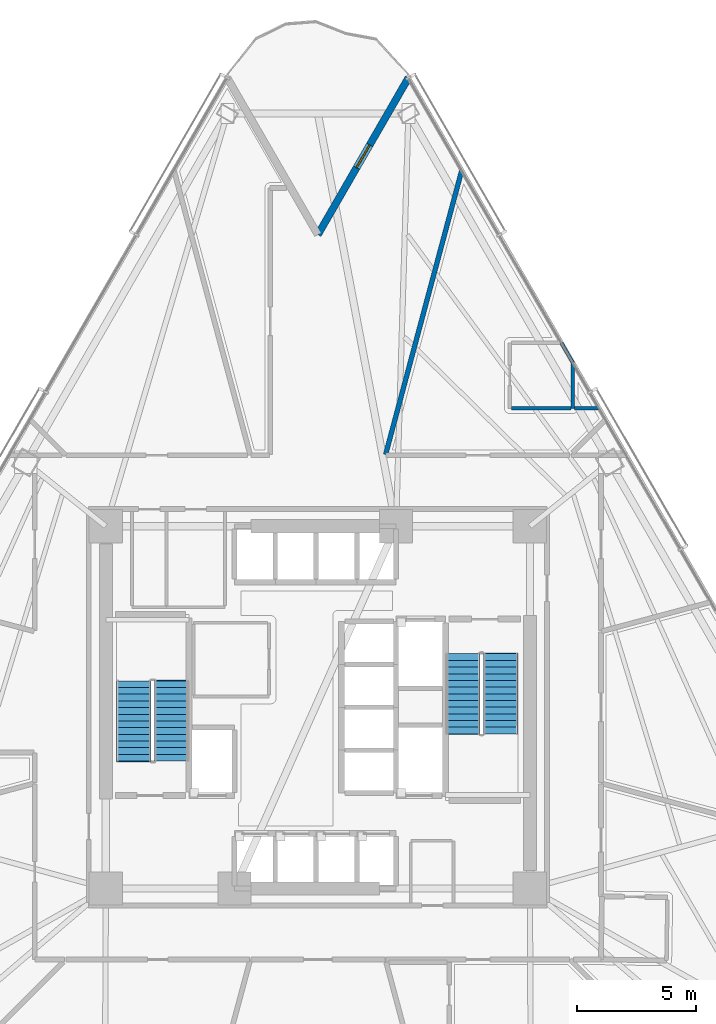
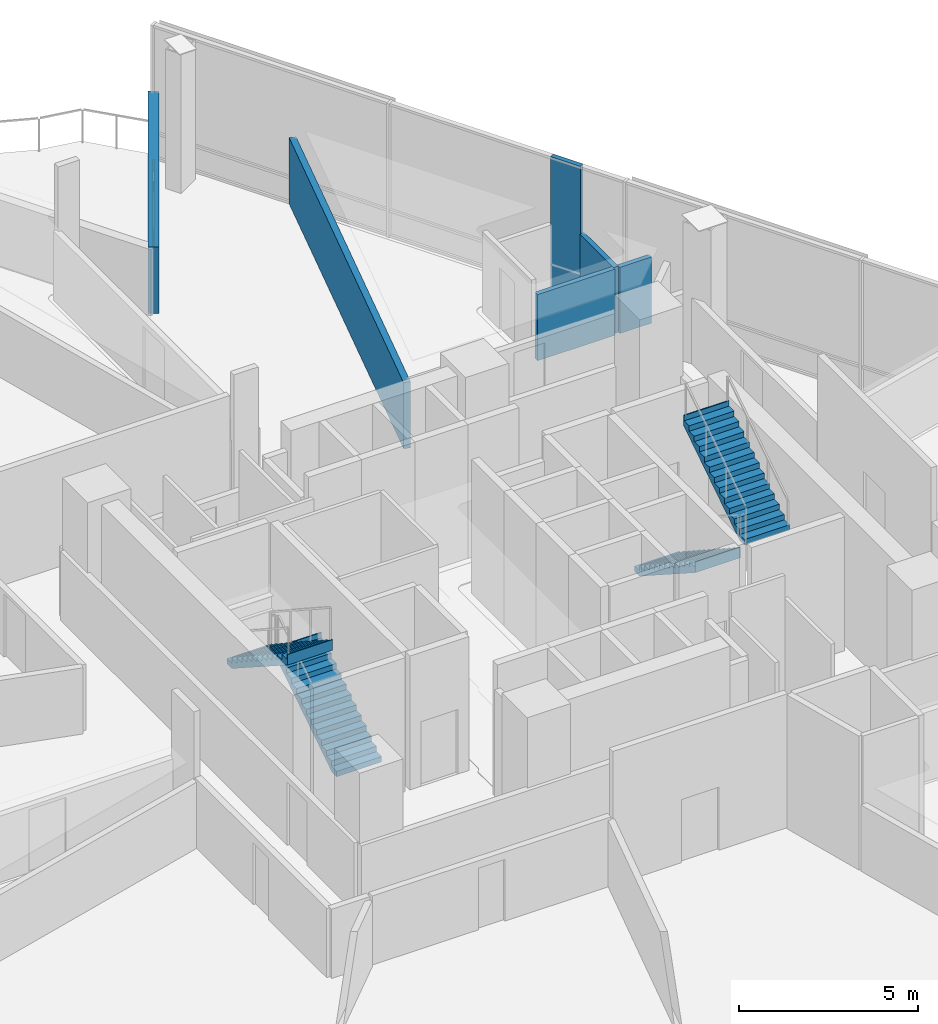
# One storey, part 10 of 17: 6 walls, 4 stair flights, 1 door, 1 opening, 2 elements without a shape of their own.
"""IFC4 building model written with IfcOpenShell, lengths in metres."""

from ifc_helpers import new_model, si_unit, direction, frame, frame_2d, origin, place, context, subcontext, project, spatial, polyline, rectangle, outline, extrude, material, layer, layer_set, type_object, element, fill, aggregate, save


model = new_model("IFC4")

# Units and contexts
model_context = context("Model", 3, precision=1e-05, world=origin(), true_north=direction((0.0, 1.0)))
body_context = subcontext(model_context, "Body", "Model", "MODEL_VIEW")
ifc_project = project(units=[si_unit("LENGTHUNIT", "METRE"), si_unit("AREAUNIT", "SQUARE_METRE"), si_unit("VOLUMEUNIT", "CUBIC_METRE"), si_unit("PLANEANGLEUNIT", "RADIAN"), si_unit("MASSUNIT", "GRAM", prefix="KILO")], contexts=[model_context])

# Site, building, storey
site_placement = place(None, origin())
site = spatial("IfcSite", under=ifc_project, at=site_placement, CompositionType="ELEMENT")
building_placement = place(site_placement, origin())
building = spatial("IfcBuilding", under=site, at=building_placement, Name="Tharavind Bronze Gate", CompositionType="ELEMENT")
storey_placement = place(building_placement, frame((0.0, 0.0, 52.25)))
storey = spatial("IfcBuildingStorey", under=building, at=storey_placement, Name="L12", CompositionType="ELEMENT", Elevation=52.25)

# Wall, opening, door
ifc_material_1 = material(Name="Concrete C40/50", Category="concrete")
ifc_layer_1 = layer(ifc_material_1, 0.300048828125)
ifc_layer_set_1 = layer_set([ifc_layer_1], Name="Concrete C40/50")
wall_type_1 = type_object("IfcWallType", Name="EXTERIOR SPANDREL WALL 300", PredefinedType="STANDARD", material=ifc_layer_set_1)
wall_1_placement = place(storey_placement, frame((3.800048828125, 26.418212890625, 0.0), z_axis=(0.0, 0.0, 1.0), x_axis=(-0.500005158081, -0.866022425744, 0.0)))
wall_1 = element("IfcWall", 1, at=wall_1_placement, inside=storey, type_object=wall_type_1, Name="L12 notch cheek wall 1A", PredefinedType="STANDARD", context=body_context, shape_type="SweptSolid", body=[
    extrude(rectangle(XDim=7.60009765625, YDim=0.300048828125, at=frame_2d((3.800048828125, 0.0))), origin(), (0.0, 0.0, 1.0), 2.2548828125),
])
opening_placement = place(wall_1_placement, frame((3.25, 0.0, 0.0)))
opening = element("IfcOpeningElement", 2, at=opening_placement, cuts=wall_1, Name="Opening ED04", PredefinedType="OPENING", context=body_context, shape_type="SweptSolid", body=[
    extrude(rectangle(XDim=1.10009765625, YDim=2.199951171875, at=frame_2d((0.550048828125, 1.10009765625))), frame((0.0, 0.15990234375, 0.0), z_axis=(0.0, -1.0, 0.0), x_axis=(1.0, 0.0, 0.0)), (0.0, 0.0, 1.0), 0.320048828125),
])
ifc_material_2 = material(Name="Bronze Aluminium & Toughened Glass", Category="aluminium")
door_type = type_object("IfcDoorType", Name="TREE BALCONY ACCESS DOOR 1100X2200", OperationType="SINGLE_SWING_LEFT", PredefinedType="DOOR", material=ifc_material_2)
door_placement = place(opening_placement, origin())
door = element("IfcDoor", 3, at=door_placement, inside=storey, type_object=door_type, Name="L12 tree balcony access door", OperationType="SINGLE_SWING_LEFT", OverallHeight=2.199951171875, OverallWidth=1.10009765625, PredefinedType="DOOR", context=body_context, shape_type="SweptSolid", body=[
    extrude(rectangle(XDim=1.10009765625, YDim=2.199951171875, at=frame_2d((0.550048828125, 1.10009765625))), frame((0.0, 0.02490234375, 0.0), z_axis=(0.0, -1.0, 0.0), x_axis=(1.0, 0.0, 0.0)), (0.0, 0.0, 1.0), 0.050048828125),
])
fill(opening, door)

# Walls
ifc_material_3 = material(Name="Aerated Concrete Block", Category="concrete")
ifc_layer_2 = layer(ifc_material_3, 0.199951171875)
ifc_layer_set_2 = layer_set([ifc_layer_2], Name="Aerated Concrete Block")
wall_type_2 = type_object("IfcWallType", Name="FIRE RATED PARTITION 200", PredefinedType="PARTITIONING", material=ifc_layer_set_2)
wall_2_placement = place(storey_placement, frame((2.84326171875, 10.611572265625, 0.0), z_axis=(0.0, 0.0, 1.0), x_axis=(0.258820414837, 0.965925459269, 0.0)))
element("IfcWall", 4, at=wall_2_placement, inside=storey, type_object=wall_type_2, Name="L12 Royal Hotel Suite partition", PredefinedType="PARTITIONING", context=body_context, shape_type="SweptSolid", body=[
    extrude(rectangle(XDim=12.348388671875, YDim=0.199951171875, at=frame_2d((6.17431640625, 0.0))), origin(), (0.0, 0.0, 1.0), 2.2548828125),
])
ifc_material_4 = material(Name="Twin Stud Acoustic Gypsum", Category="gypsum")
ifc_layer_3 = layer(ifc_material_4, 0.14990234375)
ifc_layer_set_3 = layer_set([ifc_layer_3], Name="Twin Stud Acoustic Gypsum")
wall_type_3 = type_object("IfcWallType", Name="INTERIOR PARTITION WALL 150", PredefinedType="PARTITIONING", material=ifc_layer_set_3)
wall_3_placement = place(storey_placement, frame((10.218994140625, 15.300048828125, 0.0), z_axis=(0.0, 0.0, 1.0), x_axis=(0.500015396624, -0.866016514357, 0.0)))
element("IfcWall", 5, at=wall_3_placement, inside=storey, type_object=wall_type_3, Name="L12 En-Suite Bathroom partition", PredefinedType="PARTITIONING", context=body_context, shape_type="SweptSolid", body=[
    extrude(rectangle(XDim=0.9619140625, YDim=0.14990234375, at=frame_2d((0.48095703125, 0.0))), origin(), (0.0, 0.0, 1.0), 4.56005859375),
])
wall_4_placement = place(storey_placement, frame((10.699951171875, 14.467041015625, 0.0), z_axis=(0.0, 0.0, 1.0), x_axis=(0.0, -1.0, 0.0)))
element("IfcWall", 6, at=wall_4_placement, inside=storey, type_object=wall_type_3, Name="L12 En-Suite Bathroom partition", PredefinedType="PARTITIONING", context=body_context, shape_type="SweptSolid", body=[
    extrude(rectangle(XDim=1.9169921875, YDim=0.14990234375, at=frame_2d((0.95849609375, 0.0))), origin(), (0.0, 0.0, 1.0), 2.2548828125),
])
wall_5_placement = place(storey_placement, frame((11.806884765625, 12.550048828125, 0.0), z_axis=(0.0, 0.0, 1.0), x_axis=(-1.0, 0.0, 0.0)))
element("IfcWall", 7, at=wall_5_placement, inside=storey, type_object=wall_type_3, Name="L12 En-Suite Bathroom partition", PredefinedType="PARTITIONING", context=body_context, shape_type="SweptSolid", body=[
    extrude(rectangle(XDim=1.02685546875, YDim=0.14990234375, at=frame_2d((0.513427734375, 0.0))), origin(), (0.0, 0.0, 1.0), 2.2548828125),
])
wall_6_placement = place(storey_placement, frame((10.6201171875, 12.550048828125, 0.0), z_axis=(0.0, 0.0, 1.0), x_axis=(-1.0, 0.0, 0.0)))
element("IfcWall", 8, at=wall_6_placement, inside=storey, type_object=wall_type_3, Name="L12 En-Suite Bathroom partition", PredefinedType="PARTITIONING", context=body_context, shape_type="SweptSolid", body=[
    extrude(rectangle(XDim=2.490234375, YDim=0.14990234375, at=frame_2d((1.2451171875, 0.0))), origin(), (0.0, 0.0, 1.0), 2.2548828125),
])

# Stair, stair flights
stair_type = type_object("IfcStairType", Name="CORE HALF TURN STAIR 1450", PredefinedType="HALF_TURN_STAIR", material=ifc_material_1)
stair_1_placement = place(storey_placement, origin())
stair_1 = element("IfcStair", 9, at=stair_1_placement, inside=storey, type_object=stair_type, Name="L12 Protected Exit Stair ST1", PredefinedType="HALF_TURN_STAIR")
stair_flight_type = type_object("IfcStairFlightType", Name="CORE STAIR FLIGHT 1450", PredefinedType="STRAIGHT", material=ifc_material_1)
stair_flight_1_placement = place(storey_placement, frame((-6.125, -2.25, 0.0), z_axis=(0.0, 0.0, 1.0), x_axis=(0.0, 1.0, 0.0)))
stair_flight_1 = element("IfcStairFlight", 10, at=stair_flight_1_placement, type_object=stair_flight_type, Name="ST1 flight 1", NumberOfRisers=13, NumberOfTreads=12, PredefinedType="STRAIGHT", RiserHeight=0.182692308, TreadLength=0.28, context=body_context, shape_type="SweptSolid", body=[
    extrude(outline(polyline([(0.0, 0.0), (0.0, 0.1826171875), (0.280029296875, 0.1826171875), (0.280029296875, 0.365478515625), (0.56005859375, 0.365478515625), (0.56005859375, 0.548095703125), (0.840087890625, 0.548095703125), (0.840087890625, 0.730712890625), (1.1201171875, 0.730712890625), (1.1201171875, 0.91357421875), (1.39990234375, 0.91357421875), (1.39990234375, 1.09619140625), (1.679931640625, 1.09619140625), (1.679931640625, 1.27880859375), (1.9599609375, 1.27880859375), (1.9599609375, 1.46142578125), (2.239990234375, 1.46142578125), (2.239990234375, 1.644287109375), (2.52001953125, 1.644287109375), (2.52001953125, 1.826904296875), (2.800048828125, 1.826904296875), (2.800048828125, 2.009521484375), (3.080078125, 2.009521484375), (3.080078125, 2.1923828125), (3.360107421875, 2.1923828125), (3.360107421875, 2.375), (3.39599609375, 2.375), (3.39599609375, 2.013427734375), (0.2744140625, 0.0), (0.0, 0.0)])), frame((0.0, 0.72509765625, 0.0), z_axis=(0.0, -1.0, 0.0), x_axis=(1.0, 0.0, 0.0)), (0.0, 0.0, 1.0), 1.449951171875),
])
stair_flight_2_placement = place(storey_placement, frame((-7.72509765625, 1.110107421875, 2.375), z_axis=(0.0, 0.0, 1.0), x_axis=(0.0, -1.0, 0.0)))
stair_flight_2 = element("IfcStairFlight", 11, at=stair_flight_2_placement, type_object=stair_flight_type, Name="ST1 flight 2", NumberOfRisers=13, NumberOfTreads=12, PredefinedType="STRAIGHT", RiserHeight=0.182692308, TreadLength=0.28, context=body_context, shape_type="SweptSolid", body=[
    extrude(outline(polyline([(0.0, 0.0), (0.0, 0.1826171875), (0.280029296875, 0.1826171875), (0.280029296875, 0.365478515625), (0.56005859375, 0.365478515625), (0.56005859375, 0.548095703125), (0.840087890625, 0.548095703125), (0.840087890625, 0.730712890625), (1.1201171875, 0.730712890625), (1.1201171875, 0.91357421875), (1.39990234375, 0.91357421875), (1.39990234375, 1.09619140625), (1.679931640625, 1.09619140625), (1.679931640625, 1.27880859375), (1.9599609375, 1.27880859375), (1.9599609375, 1.46142578125), (2.239990234375, 1.46142578125), (2.239990234375, 1.644287109375), (2.52001953125, 1.644287109375), (2.52001953125, 1.826904296875), (2.800048828125, 1.826904296875), (2.800048828125, 2.009521484375), (3.080078125, 2.009521484375), (3.080078125, 2.1923828125), (3.360107421875, 2.1923828125), (3.360107421875, 2.375), (3.39599609375, 2.375), (3.39599609375, 2.013427734375), (0.2744140625, 0.0), (0.0, 0.0)])), frame((0.0, 0.72509765625, 0.0), z_axis=(0.0, -1.0, 0.0), x_axis=(1.0, 0.0, 0.0)), (0.0, 0.0, 1.0), 1.449951171875),
])
aggregate(stair_1, [stair_flight_1, stair_flight_2])

stair_2_placement = place(storey_placement, origin())
stair_2 = element("IfcStair", 12, at=stair_2_placement, inside=storey, type_object=stair_type, Name="L12 Protected Exit Stair ST2", PredefinedType="HALF_TURN_STAIR")
stair_flight_3_placement = place(storey_placement, frame((6.074951171875, 2.25, 0.0), z_axis=(0.0, 0.0, 1.0), x_axis=(0.0, -1.0, 0.0)))
stair_flight_3 = element("IfcStairFlight", 13, at=stair_flight_3_placement, type_object=stair_flight_type, Name="ST2 flight 1", NumberOfRisers=13, NumberOfTreads=12, PredefinedType="STRAIGHT", RiserHeight=0.182692308, TreadLength=0.28, context=body_context, shape_type="SweptSolid", body=[
    extrude(outline(polyline([(0.0, 0.0), (0.0, 0.1826171875), (0.280029296875, 0.1826171875), (0.280029296875, 0.365478515625), (0.56005859375, 0.365478515625), (0.56005859375, 0.548095703125), (0.840087890625, 0.548095703125), (0.840087890625, 0.730712890625), (1.1201171875, 0.730712890625), (1.1201171875, 0.91357421875), (1.39990234375, 0.91357421875), (1.39990234375, 1.09619140625), (1.679931640625, 1.09619140625), (1.679931640625, 1.27880859375), (1.9599609375, 1.27880859375), (1.9599609375, 1.46142578125), (2.239990234375, 1.46142578125), (2.239990234375, 1.644287109375), (2.52001953125, 1.644287109375), (2.52001953125, 1.826904296875), (2.800048828125, 1.826904296875), (2.800048828125, 2.009521484375), (3.080078125, 2.009521484375), (3.080078125, 2.1923828125), (3.360107421875, 2.1923828125), (3.360107421875, 2.375), (3.39599609375, 2.375), (3.39599609375, 2.013427734375), (0.2744140625, 0.0), (0.0, 0.0)])), frame((0.0, 0.72509765625, 0.0), z_axis=(0.0, -1.0, 0.0), x_axis=(1.0, 0.0, 0.0)), (0.0, 0.0, 1.0), 1.449951171875),
])
stair_flight_4_placement = place(storey_placement, frame((7.675048828125, -1.110107421875, 2.375), z_axis=(0.0, 0.0, 1.0), x_axis=(0.0, 1.0, 0.0)))
stair_flight_4 = element("IfcStairFlight", 14, at=stair_flight_4_placement, type_object=stair_flight_type, Name="ST2 flight 2", NumberOfRisers=13, NumberOfTreads=12, PredefinedType="STRAIGHT", RiserHeight=0.182692308, TreadLength=0.28, context=body_context, shape_type="SweptSolid", body=[
    extrude(outline(polyline([(0.0, 0.0), (0.0, 0.1826171875), (0.280029296875, 0.1826171875), (0.280029296875, 0.365478515625), (0.56005859375, 0.365478515625), (0.56005859375, 0.548095703125), (0.840087890625, 0.548095703125), (0.840087890625, 0.730712890625), (1.1201171875, 0.730712890625), (1.1201171875, 0.91357421875), (1.39990234375, 0.91357421875), (1.39990234375, 1.09619140625), (1.679931640625, 1.09619140625), (1.679931640625, 1.27880859375), (1.9599609375, 1.27880859375), (1.9599609375, 1.46142578125), (2.239990234375, 1.46142578125), (2.239990234375, 1.644287109375), (2.52001953125, 1.644287109375), (2.52001953125, 1.826904296875), (2.800048828125, 1.826904296875), (2.800048828125, 2.009521484375), (3.080078125, 2.009521484375), (3.080078125, 2.1923828125), (3.360107421875, 2.1923828125), (3.360107421875, 2.375), (3.39599609375, 2.375), (3.39599609375, 2.013427734375), (0.2744140625, 0.0), (0.0, 0.0)])), frame((0.0, 0.72509765625, 0.0), z_axis=(0.0, -1.0, 0.0), x_axis=(1.0, 0.0, 0.0)), (0.0, 0.0, 1.0), 1.449951171875),
])
aggregate(stair_2, [stair_flight_3, stair_flight_4])

save(model, "model.ifc")
